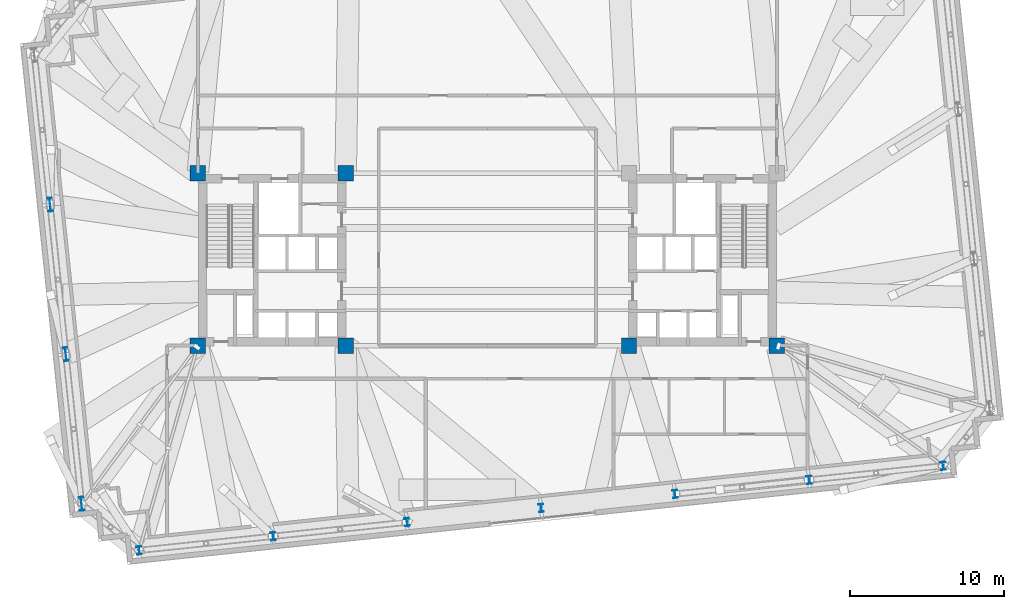
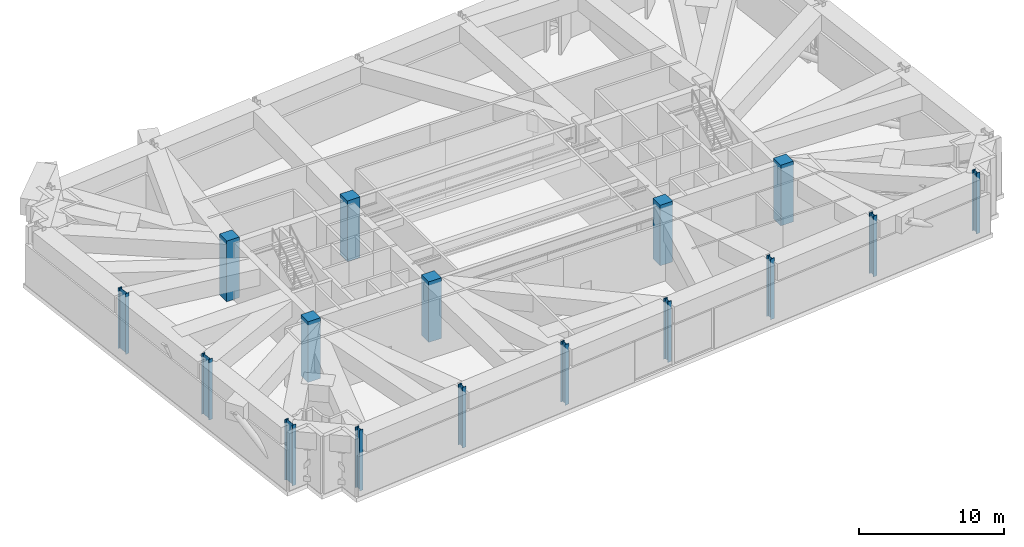
# One storey, part 1 of 23: 16 columns.
"""IFC4 building model written with IfcOpenShell, lengths in metres."""

from ifc_helpers import new_model, si_unit, direction, frame, origin, origin_2d, place, context, subcontext, project, spatial, rectangle, i_section, extrude, material, material_profile, profile_set, type_object, element, save


model = new_model("IFC4")

# Units and contexts
model_context = context("Model", 3, precision=1e-05, world=origin(), true_north=direction((0.0, 1.0)))
body_context = subcontext(model_context, "Body", "Model", "MODEL_VIEW")
ifc_project = project(units=[si_unit("LENGTHUNIT", "METRE"), si_unit("AREAUNIT", "SQUARE_METRE"), si_unit("VOLUMEUNIT", "CUBIC_METRE"), si_unit("PLANEANGLEUNIT", "RADIAN"), si_unit("MASSUNIT", "GRAM", prefix="KILO")], contexts=[model_context])

# Site, building, storey
site_placement = place(None, origin())
site = spatial("IfcSite", under=ifc_project, at=site_placement, CompositionType="ELEMENT")
building_placement = place(site_placement, origin())
building = spatial("IfcBuilding", under=site, at=building_placement, Name="Qobustan Lattice House", CompositionType="ELEMENT")
storey_placement = place(building_placement, frame((0.0, 0.0, 125.89990234375)))
storey = spatial("IfcBuildingStorey", under=building, at=storey_placement, Name="L35", CompositionType="ELEMENT", Elevation=125.89990234375)

# Columns
ifc_material_1 = material(Name="Concrete C60/75", Category="concrete")
ifc_material_profile_1 = material_profile(ifc_material_1, rectangle(XDim=1.0, YDim=1.0, at=origin_2d()), Name="RC1000x1000")
ifc_profile_set_1 = profile_set([ifc_material_profile_1], Name="Concrete C60/75")
column_type_1 = type_object("IfcColumnType", Name="COL-RC-1000", PredefinedType="COLUMN", material=ifc_profile_set_1)
for number, where, z_axis, x_axis, name in (
    (1, (-18.800048828125, -5.60009765625, 0.0), (0.0, 0.0, 1.0), (1.0, 0.0, 0.0), "L35 core mega-column CW-SW"),
    (2, (-18.800048828125, 5.60009765625, 0.0), (0.0, 0.0, 1.0), (1.0, 0.0, 0.0), "L35 core mega-column CW-NW"),
    (3, (-9.199951171875, -5.60009765625, 0.0), (0.0, 0.0, 1.0), (1.0, 0.0, 0.0), "L35 core mega-column CW-SE"),
    (4, (-9.199951171875, 5.60009765625, 0.0), (0.0, 0.0, 1.0), (1.0, 0.0, 0.0), "L35 core mega-column CW-NE"),
    (5, (9.199951171875, -5.60009765625, 0.0), (0.0, 0.0, 1.0), (1.0, 0.0, 0.0), "L35 core mega-column CE-SW"),
    (6, (18.800048828125, -5.60009765625, 0.0), (0.0, 0.0, 1.0), (1.0, 0.0, 0.0), "L35 core mega-column CE-SE"),
):
    element("IfcColumn", number, at=place(storey_placement, frame(where, z_axis=z_axis, x_axis=x_axis)), inside=storey, type_object=column_type_1, Name=name, PredefinedType="COLUMN", context=body_context, shape_type="SweptSolid", body=[
        extrude(rectangle(XDim=1.0, YDim=1.0, at=origin_2d()), origin(), (0.0, 0.0, 1.0), 5.10009765625),
    ])
ifc_material_2 = material(Name="Steel S355", Category="steel")
ifc_material_profile_2 = material_profile(ifc_material_2, i_section(OverallWidth=0.300048828125, OverallDepth=0.89990234375, WebThickness=0.0185546875, FlangeThickness=0.034912109375, FilletRadius=0.030029296875, at=origin_2d()), Name="HEB900")
ifc_profile_set_2 = profile_set([ifc_material_profile_2], Name="Steel S355")
column_type_2 = type_object("IfcColumnType", Name="COL-ST-HEB900", PredefinedType="COLUMN", material=ifc_profile_set_2)
for number, where, z_axis, x_axis, name in (
    (7, (-28.39794921875, 3.557373046875, 0.0), (0.0, 0.0, 1.0), (0.994521895368, 0.104528463268, 0.0), "L35 B2 perimeter column W2"),
    (8, (-27.377197265625, -6.156005859375, 0.0), (0.0, 0.0, 1.0), (0.994521895368, 0.104528463268, 0.0), "L35 B2 perimeter column W3"),
    (9, (-26.356201171875, -15.868896484375, 0.0), (0.0, 0.0, 1.0), (0.994521895368, 0.104528463268, 0.0), "L35 B2 perimeter column W4"),
):
    element("IfcColumn", number, at=place(storey_placement, frame(where, z_axis=z_axis, x_axis=x_axis)), inside=storey, type_object=column_type_2, Name=name, PredefinedType="COLUMN", context=body_context, shape_type="SweptSolid", body=[
        extrude(i_section(OverallWidth=0.300048828125, OverallDepth=0.89990234375, WebThickness=0.0185546875, FlangeThickness=0.034912109375, FilletRadius=0.030029296875, at=origin_2d()), origin(), (0.0, 0.0, 1.0), 5.10009765625),
    ])
ifc_material_3 = material(Name="Steel S355", Category="steel")
ifc_material_profile_3 = material_profile(ifc_material_3, i_section(OverallWidth=0.305908203125, OverallDepth=0.52392578125, WebThickness=0.02099609375, FlangeThickness=0.0400390625, FilletRadius=0.027099609375, at=origin_2d()), Name="HEM500")
ifc_profile_set_3 = profile_set([ifc_material_profile_3], Name="Steel S355")
column_type_3 = type_object("IfcColumnType", Name="COL-ST-HEM500", PredefinedType="COLUMN", material=ifc_profile_set_3)
for number, where, z_axis, x_axis, name in (
    (10, (-22.619384765625, -18.89501953125, 0.0), (0.0, 0.0, 1.0), (0.994521895368, 0.104528463268, 0.0), "L35 B2 perimeter column S1"),
    (11, (-13.91748046875, -17.98046875, 0.0), (0.0, 0.0, 1.0), (0.994521895368, 0.104528463268, 0.0), "L35 B2 perimeter column S2"),
    (12, (-5.21533203125, -17.065673828125, 0.0), (0.0, 0.0, 1.0), (0.994521895368, 0.104528463268, 0.0), "L35 B2 perimeter column S3"),
    (13, (3.48681640625, -16.151123046875, 0.0), (0.0, 0.0, 1.0), (0.994521895368, 0.104528463268, 0.0), "L35 B2 perimeter column S4"),
    (14, (12.188720703125, -15.236572265625, 0.0), (0.0, 0.0, 1.0), (0.994521895368, 0.104528463268, 0.0), "L35 B2 perimeter column S5"),
    (15, (20.890869140625, -14.322021484375, 0.0), (0.0, 0.0, 1.0), (0.994521895368, 0.104528463268, 0.0), "L35 B2 perimeter column S6"),
    (16, (29.593017578125, -13.4072265625, 0.0), (0.0, 0.0, 1.0), (0.994521895368, 0.104528463268, 0.0), "L35 B2 perimeter column S7"),
):
    element("IfcColumn", number, at=place(storey_placement, frame(where, z_axis=z_axis, x_axis=x_axis)), inside=storey, type_object=column_type_3, Name=name, PredefinedType="COLUMN", context=body_context, shape_type="SweptSolid", body=[
        extrude(i_section(OverallWidth=0.305908203125, OverallDepth=0.52392578125, WebThickness=0.02099609375, FlangeThickness=0.0400390625, FilletRadius=0.027099609375, at=origin_2d()), origin(), (0.0, 0.0, 1.0), 5.10009765625),
    ])

save(model, "model.ifc")
